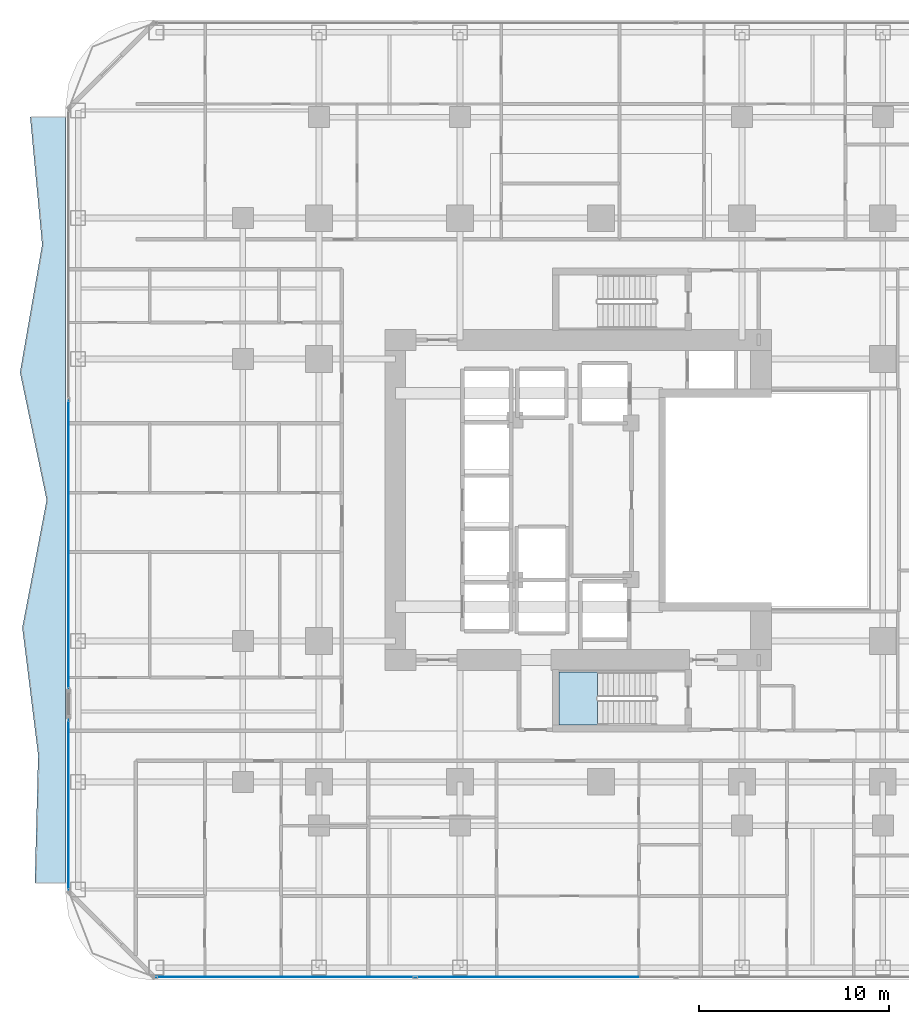
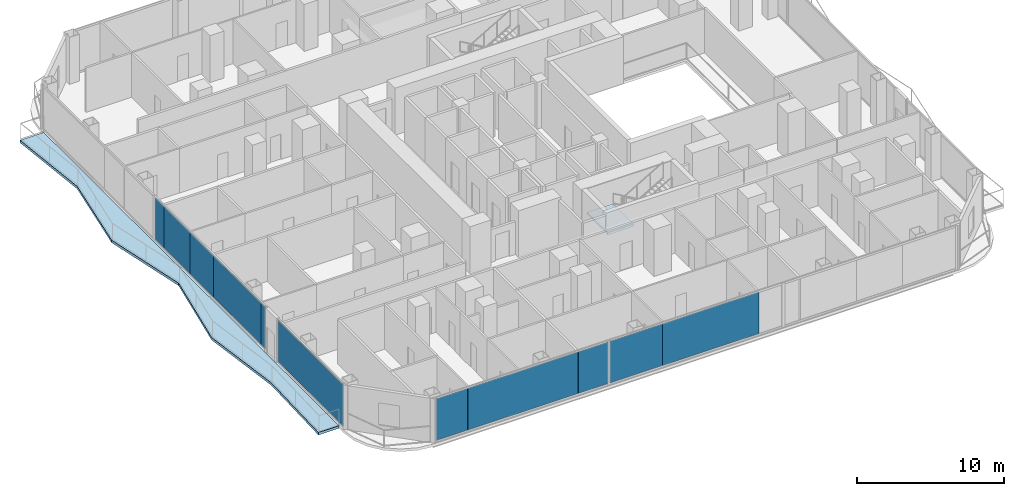
# One storey, part 18 of 29: 11 plates, 2 slabs, 4 elements without a shape of their own.
"""IFC4 building model written with IfcOpenShell, lengths in metres."""

from ifc_helpers import new_model, si_unit, direction, frame, origin, origin_2d, place, context, subcontext, project, spatial, polyline, rectangle, outline, extrude, material, layer, layer_set, type_object, element, aggregate, save


model = new_model("IFC4")

# Units and contexts
model_context = context("Model", 3, precision=1e-05, world=origin(), true_north=direction((0.0, 1.0)))
body_context = subcontext(model_context, "Body", "Model", "MODEL_VIEW")
ifc_project = project(units=[si_unit("LENGTHUNIT", "METRE"), si_unit("AREAUNIT", "SQUARE_METRE"), si_unit("VOLUMEUNIT", "CUBIC_METRE"), si_unit("PLANEANGLEUNIT", "RADIAN"), si_unit("MASSUNIT", "GRAM", prefix="KILO")], contexts=[model_context])

# Site, building, storey
site_placement = place(None, origin())
site = spatial("IfcSite", under=ifc_project, at=site_placement, CompositionType="ELEMENT")
building_placement = place(site_placement, origin())
building = spatial("IfcBuilding", under=site, at=building_placement, Name="Khorvyn Point Tower", CompositionType="ELEMENT")
storey_placement = place(building_placement, frame((0.0, 0.0, 61.800048828125)))
storey = spatial("IfcBuildingStorey", under=building, at=storey_placement, Name="L16", CompositionType="ELEMENT", Elevation=61.800048828125)

# Slab
ifc_material_1 = material(Name="Concrete C40/50", Category="concrete")
ifc_layer_1 = layer(ifc_material_1, 0.2099609375)
ifc_layer_set_1 = layer_set([ifc_layer_1], Name="Concrete C40/50 Rippling Balcony Slab 210")
slab_type_1 = type_object("IfcSlabType", Name="Concrete C40/50 Rippling Balcony Slab 210", PredefinedType="USERDEFINED", material=ifc_layer_set_1)
slab_1_placement = place(storey_placement, frame((0.0, 0.0, -0.2099609375)))
element("IfcSlab", 1, at=slab_1_placement, inside=storey, type_object=slab_type_1, Name="L16 West Sinusoidal Rippling Balcony", ObjectType="BALCONY", PredefinedType="USERDEFINED", context=body_context, shape_type="SweptSolid", body=[
    extrude(outline(polyline([(-28.10009765625, 20.10009765625), (-29.96826171875, 20.10009765625), (-29.339599609375, 13.39990234375), (-30.5009765625, 6.699951171875), (-29.10302734375, 0.0), (-30.380859375, -6.699951171875), (-29.548828125, -13.39990234375), (-29.722900390625, -20.10009765625), (-28.10009765625, -20.10009765625), (-28.10009765625, 20.10009765625)])), origin(), (0.0, 0.0, 1.0), 0.2099609375),
])

# Stair, slab
stair_type = type_object("IfcStairType", Name="Tower Concrete C40/50 Dogleg Exit Stair", PredefinedType="HALF_TURN_STAIR", material=ifc_material_1)
stair_placement = place(storey_placement, origin())
stair = element("IfcStair", 2, at=stair_placement, inside=storey, type_object=stair_type, Name="L16 Tower Smokeproof Exit Stair South", PredefinedType="HALF_TURN_STAIR")
ifc_layer_2 = layer(ifc_material_1, 0.199951171875)
ifc_layer_set_2 = layer_set([ifc_layer_2], Name="Concrete C40/50 Stair Landing Slab 200")
slab_type_2 = type_object("IfcSlabType", Name="Concrete C40/50 Stair Landing Slab 200", PredefinedType="LANDING", material=ifc_layer_set_2)
slab_2_placement = place(storey_placement, frame((0.0, 0.0, 1.75)))
slab_2 = element("IfcSlab", 3, at=slab_2_placement, type_object=slab_type_2, Name="ST-01 landing 1", PredefinedType="LANDING", context=body_context, shape_type="SweptSolid", body=[
    extrude(outline(polyline([(-0.179931640625, -9.02001953125), (-2.199951171875, -9.02001953125), (-2.199951171875, -11.820068359375), (-0.179931640625, -11.820068359375), (-0.179931640625, -9.02001953125)])), origin(), (0.0, 0.0, 1.0), 0.199951171875),
])
aggregate(stair, [slab_2])

# Curtain wall, plates
ifc_material_2 = material(Name="Anodised aluminium 6063-T6 and laminated Low-E glass", Category="aluminium")
ifc_layer_3 = layer(ifc_material_2, 0.18994140625)
ifc_layer_set_3 = layer_set([ifc_layer_3], Name="Stick-Built Finned Residential Curtain Wall CW-SYS-02")
curtain_wall_type = type_object("IfcCurtainWallType", Name="Stick-Built Finned Residential Curtain Wall CW-SYS-02", PredefinedType="NOTDEFINED", material=ifc_layer_set_3)
curtain_wall_1_placement = place(storey_placement, origin())
curtain_wall_1 = element("IfcCurtainWall", 4, at=curtain_wall_1_placement, inside=storey, type_object=curtain_wall_type, Name="Curtain Wall", PredefinedType="NOTDEFINED")
ifc_material_3 = material(Name="Laminated Low-E insulated glass", Category="glass")
ifc_layer_4 = layer(ifc_material_3, 0.028076171875)
ifc_layer_set_4 = layer_set([ifc_layer_4], Name="Tempered Low-E Vision Glazing Panel CW-GL28")
plate_type = type_object("IfcPlateType", Name="Tempered Low-E Vision Glazing Panel CW-GL28", PredefinedType="CURTAIN_PANEL", material=ifc_layer_set_4)
plate_1_placement = place(storey_placement, frame((-7.618408203125, -25.050048828125, 0.099853515625), z_axis=(0.0, 0.0, 1.0), x_axis=(-1.0, 0.0, 0.0)))
plate_1 = element("IfcPlate", 5, at=plate_1_placement, type_object=plate_type, Name="Panel", PredefinedType="CURTAIN_PANEL", context=body_context, shape_type="SweptSolid", body=[
    extrude(rectangle(XDim=4.155029296875, YDim=0.028076171875, at=origin_2d()), origin(), (0.0, 0.0, 1.0), 3.47998046875),
])
plate_2_placement = place(storey_placement, frame((-1.741455078125, -25.050048828125, 0.099853515625), z_axis=(0.0, 0.0, 1.0), x_axis=(-1.0, 0.0, 0.0)))
plate_2 = element("IfcPlate", 6, at=plate_2_placement, type_object=plate_type, Name="Panel", PredefinedType="CURTAIN_PANEL", context=body_context, shape_type="SweptSolid", body=[
    extrude(rectangle(XDim=7.5830078125, YDim=0.028076171875, at=origin_2d()), origin(), (0.0, 0.0, 1.0), 3.47998046875),
])
plate_3_placement = place(storey_placement, frame((-22.10009765625, -25.050048828125, 0.099853515625), z_axis=(0.0, 0.0, 1.0), x_axis=(-1.0, 0.0, 0.0)))
plate_3 = element("IfcPlate", 7, at=plate_3_placement, type_object=plate_type, Name="Panel", PredefinedType="CURTAIN_PANEL", context=body_context, shape_type="SweptSolid", body=[
    extrude(rectangle(XDim=2.491943359375, YDim=0.028076171875, at=origin_2d()), origin(), (0.0, 0.0, 1.0), 3.47998046875),
])
plate_4_placement = place(storey_placement, frame((-16.507568359375, -25.050048828125, 0.099853515625), z_axis=(0.0, 0.0, 1.0), x_axis=(-1.0, 0.0, 0.0)))
plate_4 = element("IfcPlate", 8, at=plate_4_placement, type_object=plate_type, Name="Panel", PredefinedType="CURTAIN_PANEL", context=body_context, shape_type="SweptSolid", body=[
    extrude(rectangle(XDim=8.677001953125, YDim=0.028076171875, at=origin_2d()), origin(), (0.0, 0.0, 1.0), 3.47998046875),
])
plate_5_placement = place(storey_placement, frame((-10.982421875, -25.050048828125, 0.099853515625), z_axis=(0.0, 0.0, 1.0), x_axis=(-1.0, 0.0, 0.0)))
plate_5 = element("IfcPlate", 9, at=plate_5_placement, type_object=plate_type, Name="Panel", PredefinedType="CURTAIN_PANEL", context=body_context, shape_type="SweptSolid", body=[
    extrude(rectangle(XDim=2.35693359375, YDim=0.028076171875, at=origin_2d()), origin(), (0.0, 0.0, 1.0), 3.47998046875),
])
aggregate(curtain_wall_1, [plate_1, plate_2, plate_3, plate_4, plate_5])

# Curtain wall, plate
curtain_wall_2_placement = place(storey_placement, origin())
curtain_wall_2 = element("IfcCurtainWall", 10, at=curtain_wall_2_placement, inside=storey, type_object=curtain_wall_type, Name="Curtain Wall", PredefinedType="NOTDEFINED")
plate_6_placement = place(storey_placement, frame((-27.949951171875, -15.9951171875, 0.099853515625), z_axis=(0.0, 0.0, 1.0), x_axis=(0.0, 1.0, 0.0)))
plate_6 = element("IfcPlate", 11, at=plate_6_placement, type_object=plate_type, Name="Panel", PredefinedType="CURTAIN_PANEL", context=body_context, shape_type="SweptSolid", body=[
    extrude(rectangle(XDim=8.909912109375, YDim=0.028076171875, at=origin_2d()), origin(), (0.0, 0.0, 1.0), 3.47998046875),
])
aggregate(curtain_wall_2, [plate_6])

# Curtain wall, plates
curtain_wall_3_placement = place(storey_placement, origin())
curtain_wall_3 = element("IfcCurtainWall", 12, at=curtain_wall_3_placement, inside=storey, type_object=curtain_wall_type, Name="Curtain Wall", PredefinedType="NOTDEFINED")
plate_7_placement = place(storey_placement, frame((-27.949951171875, -9.580078125, 0.099853515625), z_axis=(0.0, 0.0, 1.0), x_axis=(0.0, 1.0, 0.0)))
plate_7 = element("IfcPlate", 13, at=plate_7_placement, type_object=plate_type, Name="Panel", PredefinedType="CURTAIN_PANEL", context=body_context, shape_type="SweptSolid", body=[
    extrude(rectangle(XDim=0.632080078125, YDim=0.028076171875, at=origin_2d()), origin(), (0.0, 0.0, 1.0), 3.47998046875),
])
plate_8_placement = place(storey_placement, frame((-27.949951171875, -6.025390625, 0.099853515625), z_axis=(0.0, 0.0, 1.0), x_axis=(0.0, 1.0, 0.0)))
plate_8 = element("IfcPlate", 14, at=plate_8_placement, type_object=plate_type, Name="Panel", PredefinedType="CURTAIN_PANEL", context=body_context, shape_type="SweptSolid", body=[
    extrude(rectangle(XDim=6.4609375, YDim=0.028076171875, at=origin_2d()), origin(), (0.0, 0.0, 1.0), 3.47998046875),
])
plate_9_placement = place(storey_placement, frame((-27.949951171875, -1.173583984375, 0.099853515625), z_axis=(0.0, 0.0, 1.0), x_axis=(0.0, 1.0, 0.0)))
plate_9 = element("IfcPlate", 15, at=plate_9_placement, type_object=plate_type, Name="Panel", PredefinedType="CURTAIN_PANEL", context=body_context, shape_type="SweptSolid", body=[
    extrude(rectangle(XDim=3.22705078125, YDim=0.028076171875, at=origin_2d()), origin(), (0.0, 0.0, 1.0), 3.47998046875),
])
plate_10_placement = place(storey_placement, frame((-27.949951171875, 2.2119140625, 0.099853515625), z_axis=(0.0, 0.0, 1.0), x_axis=(0.0, 1.0, 0.0)))
plate_10 = element("IfcPlate", 16, at=plate_10_placement, type_object=plate_type, Name="Panel", PredefinedType="CURTAIN_PANEL", context=body_context, shape_type="SweptSolid", body=[
    extrude(rectangle(XDim=3.528076171875, YDim=0.028076171875, at=origin_2d()), origin(), (0.0, 0.0, 1.0), 3.47998046875),
])
plate_11_placement = place(storey_placement, frame((-27.949951171875, 4.6025390625, 0.099853515625), z_axis=(0.0, 0.0, 1.0), x_axis=(0.0, 1.0, 0.0)))
plate_11 = element("IfcPlate", 17, at=plate_11_placement, type_object=plate_type, Name="Panel", PredefinedType="CURTAIN_PANEL", context=body_context, shape_type="SweptSolid", body=[
    extrude(rectangle(XDim=1.237060546875, YDim=0.028076171875, at=origin_2d()), origin(), (0.0, 0.0, 1.0), 3.47998046875),
])
aggregate(curtain_wall_3, [plate_7, plate_8, plate_9, plate_10, plate_11])

save(model, "model.ifc")
